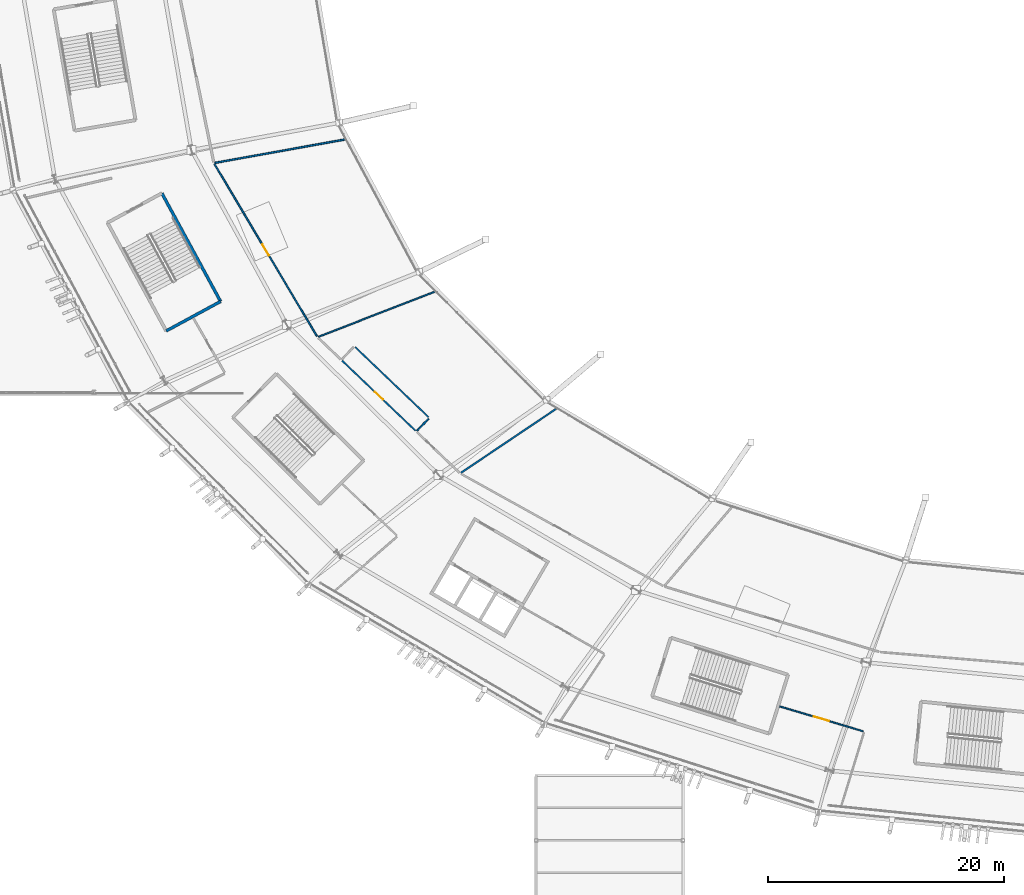
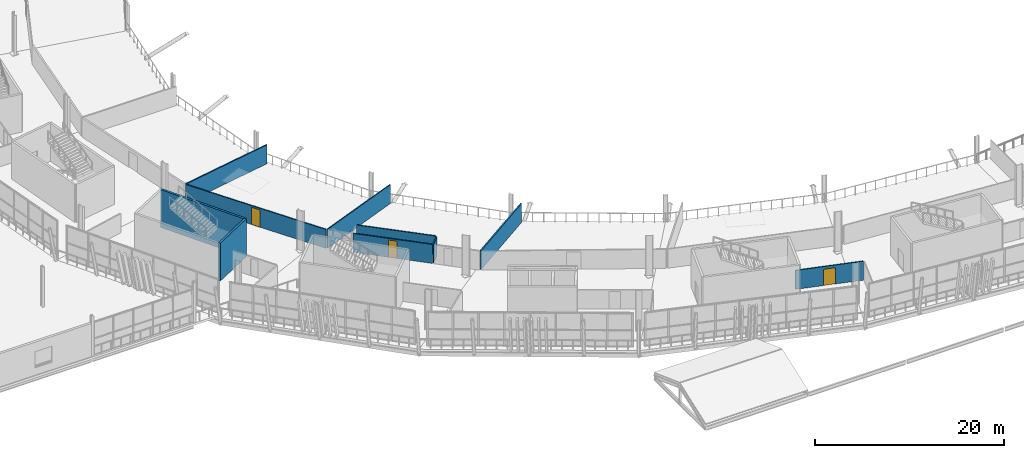
# One storey, part 116 of 168: 10 walls, 3 doors, 3 openings.
"""IFC4 building model written with IfcOpenShell, lengths in metres."""

from ifc_helpers import new_model, si_unit, direction, frame, frame_2d, origin, place, context, subcontext, project, spatial, rectangle, extrude, material, layer, layer_set, type_object, element, fill, save


model = new_model("IFC4")

# Units and contexts
model_context = context("Model", 3, precision=1e-05, world=origin(), true_north=direction((0.0, 1.0)))
body_context = subcontext(model_context, "Body", "Model", "MODEL_VIEW")
ifc_project = project(units=[si_unit("LENGTHUNIT", "METRE"), si_unit("AREAUNIT", "SQUARE_METRE"), si_unit("VOLUMEUNIT", "CUBIC_METRE"), si_unit("PLANEANGLEUNIT", "RADIAN"), si_unit("MASSUNIT", "GRAM", prefix="KILO")], contexts=[model_context])

# Site, building, storey
site_placement = place(None, origin())
site = spatial("IfcSite", under=ifc_project, at=site_placement, CompositionType="ELEMENT")
building_placement = place(site_placement, origin())
building = spatial("IfcBuilding", under=site, at=building_placement, Name="Zlatoyarsky Gate Stadium", CompositionType="ELEMENT")
storey_placement = place(building_placement, frame((0.0, 0.0, 15.60009765625)))
storey = spatial("IfcBuildingStorey", under=building, at=storey_placement, Name="L03", CompositionType="ELEMENT", Elevation=15.60009765625)

# Wall, opening, door
ifc_material_1 = material(Name="Anodised aluminium acoustic operable wall", Category="aluminium")
ifc_layer_1 = layer(ifc_material_1, 0.114990234375)
ifc_layer_set_1 = layer_set([ifc_layer_1], Name="Anodised aluminium acoustic operable wall")
wall_type_1 = type_object("IfcWallType", Name="ACOUSTIC OPERABLE SUITE WALL 115", PredefinedType="MOVABLE", material=ifc_layer_set_1)
wall_1_placement = place(storey_placement, frame((82.688232421875, 16.864990234375, 0.0), z_axis=(0.0, 0.0, 1.0), x_axis=(0.958149765672, -0.286267403913, 0.0)))
wall_1 = element("IfcWall", 1, at=wall_1_placement, inside=storey, type_object=wall_type_1, Name="L03 interior partition PRT-L03-OCC-16-1", PredefinedType="MOVABLE", context=body_context, shape_type="SweptSolid", body=[
    extrude(rectangle(XDim=7.40185546875, YDim=0.114990234375, at=frame_2d((3.700927734375, 0.0))), origin(), (0.0, 0.0, 1.0), 2.449951171875),
])
opening_1_placement = place(wall_1_placement, frame((3.03076171875, 0.0, 0.0)))
opening_1 = element("IfcOpeningElement", 2, at=opening_1_placement, cuts=wall_1, Name="Opening D-L03-478", PredefinedType="OPENING", context=body_context, shape_type="SweptSolid", body=[
    extrude(rectangle(XDim=1.340087890625, YDim=2.10009765625, at=frame_2d((0.669921875, 1.050048828125))), frame((0.0, 0.0673828125, 0.0), z_axis=(0.0, -1.0, 0.0), x_axis=(1.0, 0.0, 0.0)), (0.0, 0.0, 1.0), 0.135009765625),
])
ifc_material_2 = material(Name="Solid-core oak veneer acoustic door", Category="wood")
door_type_1 = type_object("IfcDoorType", Name="ACOUSTIC INTERIOR DOOR 1340X2100", OperationType="NOTDEFINED", PredefinedType="DOOR", material=ifc_material_2)
door_1_placement = place(opening_1_placement, origin())
door_1 = element("IfcDoor", 3, at=door_1_placement, inside=storey, type_object=door_type_1, Name="L03 room door D-L03-478", OperationType="SINGLE_SWING_RIGHT", OverallHeight=2.10009765625, OverallWidth=1.340087890625, PredefinedType="DOOR", context=body_context, shape_type="SweptSolid", body=[
    extrude(rectangle(XDim=1.340087890625, YDim=2.10009765625, at=frame_2d((0.669921875, 1.050048828125))), frame((0.0, 0.02490234375, 0.0), z_axis=(0.0, -1.0, 0.0), x_axis=(1.0, 0.0, 0.0)), (0.0, 0.0, 1.0), 0.050048828125),
])
fill(opening_1, door_1)

# Walls
ifc_material_3 = material(Name="Moisture-resistant masonry partition", Category="masonry")
ifc_layer_2 = layer(ifc_material_3, 0.139892578125)
ifc_layer_set_2 = layer_set([ifc_layer_2], Name="Moisture-resistant masonry partition")
wall_type_2 = type_object("IfcWallType", Name="ATHLETE CHANGING BLOCK PARTITION 140", PredefinedType="PARTITIONING", material=ifc_layer_set_2)
wall_2_placement = place(storey_placement, frame((45.791748046875, 64.984130859375, 0.0), z_axis=(0.0, 0.0, 1.0), x_axis=(-0.984189922643, -0.177116335127, 0.0)))
element("IfcWall", 4, at=wall_2_placement, inside=storey, type_object=wall_type_2, Name="L03 interior partition PRT-L03-IRD-13", PredefinedType="PARTITIONING", context=body_context, shape_type="SweptSolid", body=[
    extrude(rectangle(XDim=11.22314453125, YDim=0.139892578125, at=frame_2d((5.611572265625, 0.0))), origin(), (0.0, 0.0, 1.0), 2.449951171875),
])
ifc_material_4 = material(Name="Metal-stud gypsum partition", Category="gypsum")
ifc_layer_3 = layer(ifc_material_4, 0.14990234375)
ifc_layer_set_3 = layer_set([ifc_layer_3], Name="Metal-stud gypsum partition")
wall_type_3 = type_object("IfcWallType", Name="CONCOURSE CORRIDOR PARTITION 150", PredefinedType="PARTITIONING", material=ifc_layer_set_3)
wall_3_placement = place(storey_placement, frame((63.708251953125, 42.11572265625, 0.0), z_axis=(0.0, 0.0, 1.0), x_axis=(-0.82986180863, -0.557968976357, 0.0)))
element("IfcWall", 5, at=wall_3_placement, inside=storey, type_object=wall_type_3, Name="L03 interior partition PRT-L03-IRD-15", PredefinedType="PARTITIONING", context=body_context, shape_type="SweptSolid", body=[
    extrude(rectangle(XDim=9.7255859375, YDim=0.14990234375, at=frame_2d((4.86279296875, 0.0))), origin(), (0.0, 0.0, 1.0), 2.449951171875),
])
ifc_material_5 = material(Name="Concrete C40/50", Category="concrete")
ifc_layer_4 = layer(ifc_material_5, 0.25)
ifc_layer_set_4 = layer_set([ifc_layer_4], Name="Concrete C40/50")
wall_type_4 = type_object("IfcWallType", Name="CONCRETE STAIR CORE SHEAR WALL 250", PredefinedType="SHEAR", material=ifc_layer_set_4)
wall_4_placement = place(storey_placement, frame((30.615234375, 48.731201171875, 0.0), z_axis=(0.0, 0.0, 1.0), x_axis=(0.878961487093, 0.47689275965, 0.0)))
element("IfcWall", 6, at=wall_4_placement, inside=storey, type_object=wall_type_4, Name="ST-15 L03 stair core far shear wall", PredefinedType="SHEAR", context=body_context, shape_type="SweptSolid", body=[
    extrude(rectangle(XDim=5.25, YDim=0.25, at=frame_2d((2.625, 0.0))), origin(), (0.0, 0.0, 1.0), 4.89990234375),
])
wall_5_placement = place(storey_placement, frame((35.229736328125, 51.23486328125, 0.0), z_axis=(0.0, 0.0, 1.0), x_axis=(-0.476876856974, 0.878970115125, 0.0)))
element("IfcWall", 7, at=wall_5_placement, inside=storey, type_object=wall_type_4, Name="ST-15 L03 stair core right shear wall", PredefinedType="SHEAR", context=body_context, shape_type="SweptSolid", body=[
    extrude(rectangle(XDim=10.4501953125, YDim=0.25, at=frame_2d((5.22509765625, 0.0))), origin(), (0.0, 0.0, 1.0), 4.89990234375),
])
ifc_layer_5 = layer(ifc_material_4, 0.1201171875)
ifc_layer_set_5 = layer_set([ifc_layer_5], Name="Metal-stud gypsum partition")
wall_type_5 = type_object("IfcWallType", Name="OFFICE AND PRESS PARTITION 120", PredefinedType="PARTITIONING", material=ifc_layer_set_5)
wall_6_placement = place(storey_placement, frame((53.42529296875, 52.068359375, 0.0), z_axis=(0.0, 0.0, 1.0), x_axis=(-0.932396771686, -0.36143638465, 0.0)))
element("IfcWall", 8, at=wall_6_placement, inside=storey, type_object=wall_type_5, Name="L03 interior partition PRT-L03-IRD-14", PredefinedType="PARTITIONING", context=body_context, shape_type="SweptSolid", body=[
    extrude(rectangle(XDim=10.60693359375, YDim=0.1201171875, at=frame_2d((5.303466796875, 0.0))), origin(), (0.0, 0.0, 1.0), 2.449951171875),
])

# Wall, opening, door
ifc_material_6 = material(Name="Moisture-resistant tile-backed partition", Category="gypsum")
ifc_layer_6 = layer(ifc_material_6, 0.1298828125)
ifc_layer_set_6 = layer_set([ifc_layer_6], Name="Moisture-resistant tile-backed partition")
wall_type_6 = type_object("IfcWallType", Name="SANITARY WET ROOM PARTITION 130", PredefinedType="PARTITIONING", material=ifc_layer_set_6)
wall_7_placement = place(storey_placement, frame((34.705810546875, 62.908203125, 0.0), z_axis=(0.0, 0.0, 1.0), x_axis=(0.51138201062, -0.859353500728, 0.0)))
wall_7 = element("IfcWall", 9, at=wall_7_placement, inside=storey, type_object=wall_type_6, Name="L03 interior partition PRT-L03-ICC-13", PredefinedType="PARTITIONING", context=body_context, shape_type="SweptSolid", body=[
    extrude(rectangle(XDim=17.02587890625, YDim=0.1298828125, at=frame_2d((8.512939453125, 0.0))), origin(), (0.0, 0.0, 1.0), 2.449951171875),
])
opening_2_placement = place(wall_7_placement, frame((7.972900390625, 0.0, 0.0)))
opening_2 = element("IfcOpeningElement", 10, at=opening_2_placement, cuts=wall_7, Name="Opening D-L03-424", PredefinedType="OPENING", context=body_context, shape_type="SweptSolid", body=[
    extrude(rectangle(XDim=1.080078125, YDim=2.239990234375, at=frame_2d((0.5400390625, 1.1201171875))), frame((0.0, 0.074951171875, 0.0), z_axis=(0.0, -1.0, 0.0), x_axis=(1.0, 0.0, 0.0)), (0.0, 0.0, 1.0), 0.14990234375),
])
door_type_2 = type_object("IfcDoorType", Name="ACOUSTIC INTERIOR DOOR 1080X2240", OperationType="NOTDEFINED", PredefinedType="DOOR", material=ifc_material_2)
door_2_placement = place(opening_2_placement, origin())
door_2 = element("IfcDoor", 11, at=door_2_placement, inside=storey, type_object=door_type_2, Name="L03 room door D-L03-424", OperationType="SINGLE_SWING_LEFT", OverallHeight=2.239990234375, OverallWidth=1.080078125, PredefinedType="DOOR", context=body_context, shape_type="SweptSolid", body=[
    extrude(rectangle(XDim=1.080078125, YDim=2.239990234375, at=frame_2d((0.5400390625, 1.1201171875))), frame((0.0, 0.02490234375, 0.0), z_axis=(0.0, -1.0, 0.0), x_axis=(1.0, 0.0, 0.0)), (0.0, 0.0, 1.0), 0.050048828125),
])
fill(opening_2, door_2)

wall_8_placement = place(storey_placement, frame((45.54296875, 46.211669921875, 0.0), z_axis=(0.0, 0.0, 1.0), x_axis=(0.723282965578, -0.69055177337, 0.0)))
wall_8 = element("IfcWall", 12, at=wall_8_placement, inside=storey, type_object=wall_type_6, Name="L03 interior partition PRT-L03-WC14-F", PredefinedType="PARTITIONING", context=body_context, shape_type="SweptSolid", body=[
    extrude(rectangle(XDim=8.630126953125, YDim=0.1298828125, at=frame_2d((4.31494140625, 0.0))), origin(), (0.0, 0.0, 1.0), 2.449951171875),
])
opening_3_placement = place(wall_8_placement, frame((3.8349609375, 0.0, 0.0)))
opening_3 = element("IfcOpeningElement", 13, at=opening_3_placement, cuts=wall_8, Name="Opening D-L03-426", PredefinedType="OPENING", context=body_context, shape_type="SweptSolid", body=[
    extrude(rectangle(XDim=0.9599609375, YDim=2.239990234375, at=frame_2d((0.47998046875, 1.1201171875))), frame((0.0, 0.074951171875, 0.0), z_axis=(0.0, -1.0, 0.0), x_axis=(1.0, 0.0, 0.0)), (0.0, 0.0, 1.0), 0.14990234375),
])
door_type_3 = type_object("IfcDoorType", Name="ACOUSTIC INTERIOR DOOR 960X2240", OperationType="NOTDEFINED", PredefinedType="DOOR", material=ifc_material_2)
door_3_placement = place(opening_3_placement, origin())
door_3 = element("IfcDoor", 14, at=door_3_placement, inside=storey, type_object=door_type_3, Name="L03 room door D-L03-426", OperationType="SINGLE_SWING_RIGHT", OverallHeight=2.239990234375, OverallWidth=0.9599609375, PredefinedType="DOOR", context=body_context, shape_type="SweptSolid", body=[
    extrude(rectangle(XDim=0.9599609375, YDim=2.239990234375, at=frame_2d((0.47998046875, 1.1201171875))), frame((0.0, 0.02490234375, 0.0), z_axis=(0.0, -1.0, 0.0), x_axis=(1.0, 0.0, 0.0)), (0.0, 0.0, 1.0), 0.050048828125),
])
fill(opening_3, door_3)

# Walls
wall_9_placement = place(storey_placement, frame((46.647705078125, 47.368896484375, 0.0), z_axis=(0.0, 0.0, 1.0), x_axis=(0.723310584954, -0.690522843716, 0.0)))
element("IfcWall", 15, at=wall_9_placement, inside=storey, type_object=wall_type_6, Name="L03 interior partition PRT-L03-WC14-B", PredefinedType="PARTITIONING", context=body_context, shape_type="SweptSolid", body=[
    extrude(rectangle(XDim=8.630126953125, YDim=0.1298828125, at=frame_2d((4.31494140625, 0.0))), origin(), (0.0, 0.0, 1.0), 2.449951171875),
])
wall_10_placement = place(storey_placement, frame((51.9052734375, 40.255126953125, 0.0), z_axis=(0.0, 0.0, 1.0), x_axis=(0.690524478899, 0.723309023891, 0.0)))
element("IfcWall", 16, at=wall_10_placement, inside=storey, type_object=wall_type_6, Name="L03 interior partition PRT-L03-WC14-R", PredefinedType="PARTITIONING", context=body_context, shape_type="SweptSolid", body=[
    extrude(rectangle(XDim=1.4296875, YDim=0.1298828125, at=frame_2d((0.71484375, 0.0))), origin(), (0.0, 0.0, 1.0), 2.449951171875),
])

save(model, "model.ifc")
